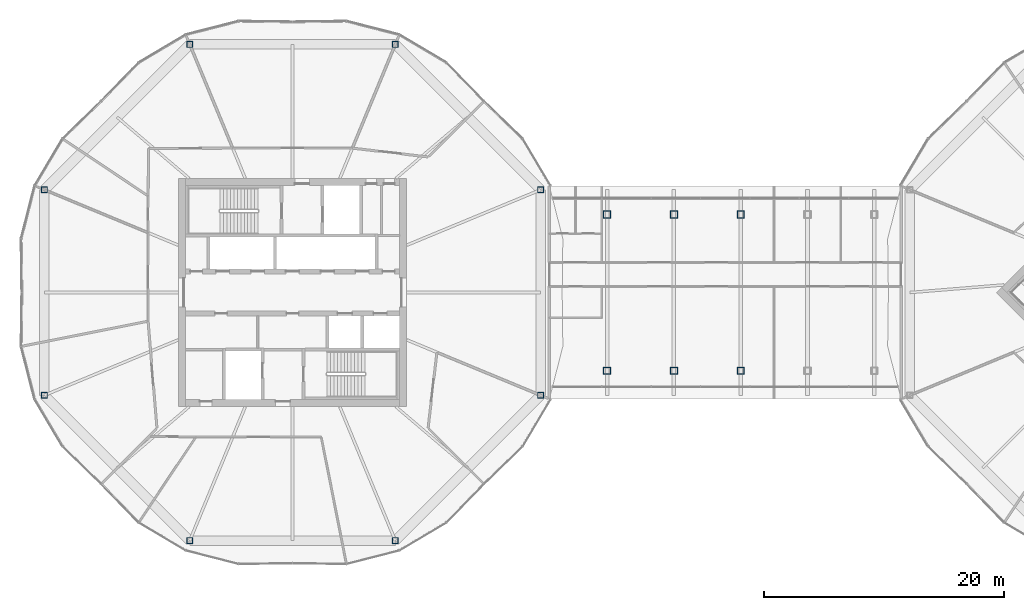
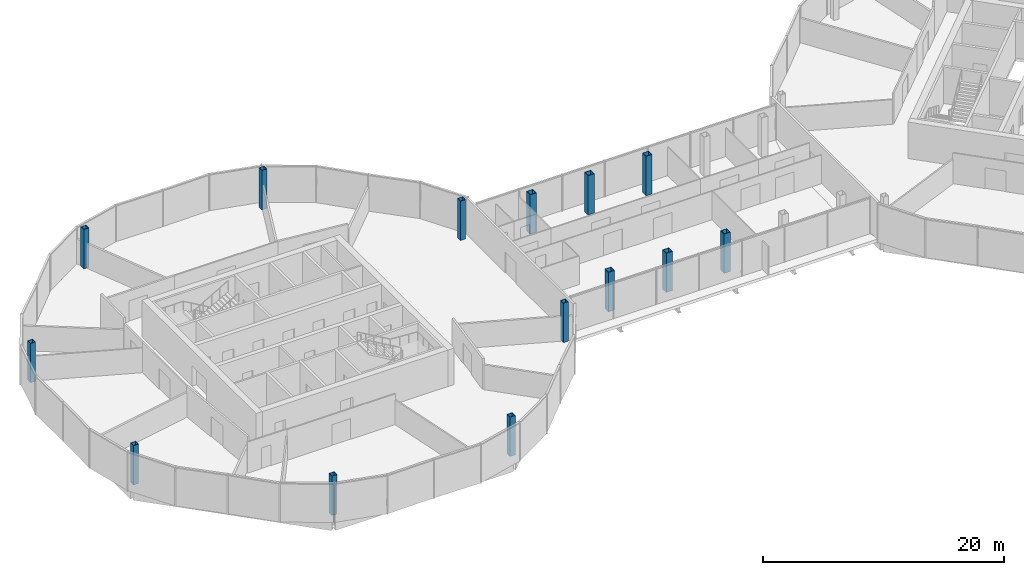
# One storey, part 1 of 25: 14 columns.
"""IFC4 building model written with IfcOpenShell, lengths in metres."""

from ifc_helpers import new_model, si_unit, direction, frame, origin, origin_2d, place, context, subcontext, project, spatial, hollow_rectangle, extrude, material, material_profile, profile_set, type_object, element, save


model = new_model("IFC4")

# Units and contexts
model_context = context("Model", 3, precision=1e-05, world=origin(), true_north=direction((0.0, 1.0)))
body_context = subcontext(model_context, "Body", "Model", "MODEL_VIEW")
ifc_project = project(units=[si_unit("LENGTHUNIT", "METRE"), si_unit("AREAUNIT", "SQUARE_METRE"), si_unit("VOLUMEUNIT", "CUBIC_METRE"), si_unit("PLANEANGLEUNIT", "RADIAN"), si_unit("MASSUNIT", "GRAM", prefix="KILO")], contexts=[model_context])

# Site, building, storey
site_placement = place(None, origin())
site = spatial("IfcSite", under=ifc_project, at=site_placement, CompositionType="ELEMENT")
building_placement = place(site_placement, origin())
building = spatial("IfcBuilding", under=site, at=building_placement, Name="Ogive Gate Towers", CompositionType="ELEMENT")
storey_placement = place(building_placement, frame((0.0, 0.0, 152.800048828125)))
storey = spatial("IfcBuildingStorey", under=building, at=storey_placement, Name="L36", CompositionType="ELEMENT", Elevation=152.800048828125)

# Columns
ifc_material = material(Name="Steel SM460", Category="steel")
ifc_material_profile_1 = material_profile(ifc_material, hollow_rectangle(XDim=0.60009765625, YDim=0.60009765625, WallThickness=0.0400390625, at=origin_2d()), Name="BX 600x600x40")
ifc_profile_set_1 = profile_set([ifc_material_profile_1], Name="Steel SM460")
column_type_1 = type_object("IfcColumnType", Name="Block column BX 600x600x40", PredefinedType="COLUMN", material=ifc_profile_set_1)
for number, where, z_axis, x_axis, name in (
    (1, (-9.83056640625, -6.5, 0.0), (0.0, 0.0, 1.0), (1.0, 0.0, 0.0), "BR/L36/SCL001"),
    (2, (-9.83056640625, 6.5, 0.0), (0.0, 0.0, 1.0), (1.0, 0.0, 0.0), "BR/L36/SCL002"),
    (3, (-4.27392578125, -6.5, 0.0), (0.0, 0.0, 1.0), (1.0, 0.0, 0.0), "BR/L36/SCL003"),
    (4, (-4.27392578125, 6.5, 0.0), (0.0, 0.0, 1.0), (1.0, 0.0, 0.0), "BR/L36/SCL004"),
    (5, (1.282470703125, -6.5, 0.0), (0.0, 0.0, 1.0), (1.0, 0.0, 0.0), "BR/L36/SCL005"),
    (6, (1.282470703125, 6.5, 0.0), (0.0, 0.0, 1.0), (1.0, 0.0, 0.0), "BR/L36/SCL006"),
):
    element("IfcColumn", number, at=place(storey_placement, frame(where, z_axis=z_axis, x_axis=x_axis)), inside=storey, type_object=column_type_1, Name=name, PredefinedType="COLUMN", context=body_context, shape_type="SweptSolid", body=[
        extrude(hollow_rectangle(XDim=0.60009765625, YDim=0.60009765625, WallThickness=0.0400390625, at=origin_2d()), origin(), (0.0, 0.0, 1.0), 4.0),
    ])
ifc_material_profile_2 = material_profile(ifc_material, hollow_rectangle(XDim=0.5, YDim=0.5, WallThickness=0.030029296875, at=origin_2d()), Name="BX 500x500x30")
ifc_profile_set_2 = profile_set([ifc_material_profile_2], Name="Steel SM460")
column_type_2 = type_object("IfcColumnType", Name="Perimeter post BX 500x500x30", PredefinedType="COLUMN", material=ifc_profile_set_2)
for number, where, z_axis, x_axis, name in (
    (7, (-15.360595703125, 8.549072265625, 0.0), (0.0, 0.0, 1.0), (1.0, 0.0, 0.0), "T1/L36/SCL001"),
    (8, (-27.450927734375, 20.639404296875, 0.0), (0.0, 0.0, 1.0), (1.0, 0.0, 0.0), "T1/L36/SCL002"),
    (9, (-44.549072265625, 20.639404296875, 0.0), (0.0, 0.0, 1.0), (1.0, 0.0, 0.0), "T1/L36/SCL003"),
    (10, (-56.639404296875, 8.549072265625, 0.0), (0.0, 0.0, 1.0), (1.0, 0.0, 0.0), "T1/L36/SCL004"),
    (11, (-56.639404296875, -8.549072265625, 0.0), (0.0, 0.0, 1.0), (1.0, 0.0, 0.0), "T1/L36/SCL005"),
    (12, (-44.549072265625, -20.639404296875, 0.0), (0.0, 0.0, 1.0), (1.0, 0.0, 0.0), "T1/L36/SCL006"),
    (13, (-27.450927734375, -20.639404296875, 0.0), (0.0, 0.0, 1.0), (1.0, 0.0, 0.0), "T1/L36/SCL007"),
    (14, (-15.360595703125, -8.549072265625, 0.0), (0.0, 0.0, 1.0), (1.0, 0.0, 0.0), "T1/L36/SCL008"),
):
    element("IfcColumn", number, at=place(storey_placement, frame(where, z_axis=z_axis, x_axis=x_axis)), inside=storey, type_object=column_type_2, Name=name, PredefinedType="COLUMN", context=body_context, shape_type="SweptSolid", body=[
        extrude(hollow_rectangle(XDim=0.5, YDim=0.5, WallThickness=0.030029296875, at=origin_2d()), origin(), (0.0, 0.0, 1.0), 4.0),
    ])

save(model, "model.ifc")
